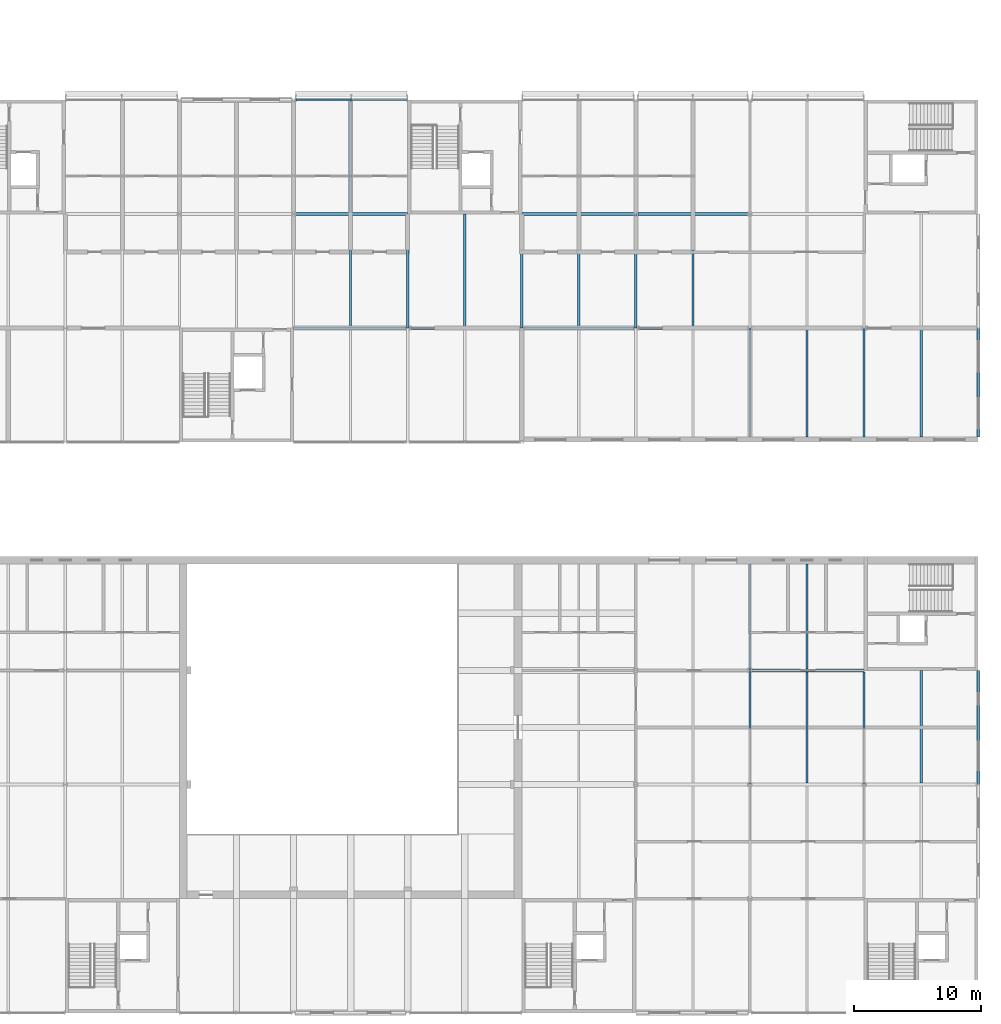
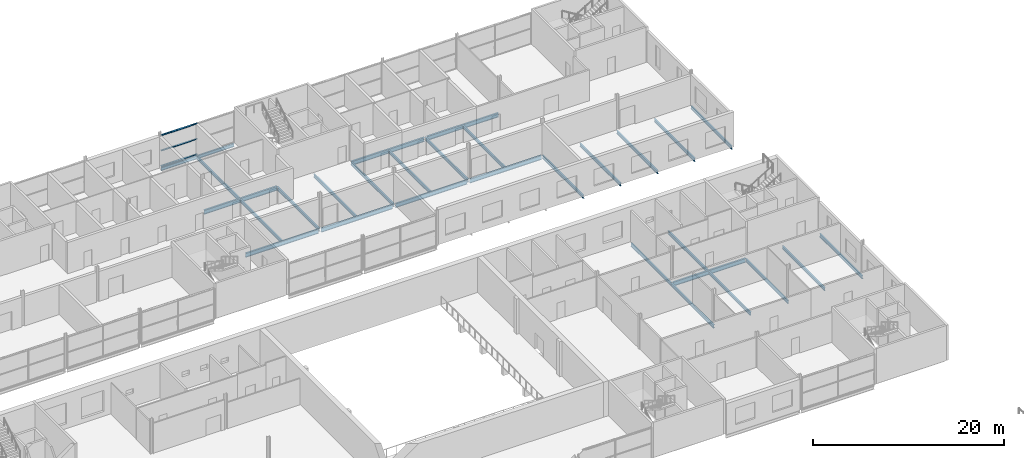
# One storey, part 57 of 97: 29 beams, 3 members, 1 element without a shape of its own.
"""IFC4 building model written with IfcOpenShell, lengths in metres."""

from ifc_helpers import new_model, si_unit, direction, frame, origin, origin_2d, place, context, subcontext, project, spatial, rectangle, i_section, extrude, material, layer, layer_set, material_profile, profile_set, type_object, element, aggregate, save


model = new_model("IFC4")

# Units and contexts
model_context = context("Model", 3, precision=1e-05, world=origin(), true_north=direction((0.0, 1.0)))
body_context = subcontext(model_context, "Body", "Model", "MODEL_VIEW")
ifc_project = project(units=[si_unit("LENGTHUNIT", "METRE"), si_unit("AREAUNIT", "SQUARE_METRE"), si_unit("VOLUMEUNIT", "CUBIC_METRE"), si_unit("PLANEANGLEUNIT", "RADIAN"), si_unit("MASSUNIT", "GRAM", prefix="KILO")], contexts=[model_context])

# Site, building, storey
site_placement = place(None, origin())
site = spatial("IfcSite", under=ifc_project, at=site_placement, CompositionType="ELEMENT")
building_placement = place(site_placement, origin())
building = spatial("IfcBuilding", under=site, at=building_placement, Name="Corbel Yard City Hall", CompositionType="ELEMENT")
storey_placement = place(building_placement, frame((0.0, 0.0, 6.0)))
storey = spatial("IfcBuildingStorey", under=building, at=storey_placement, Name="L01", CompositionType="ELEMENT", Elevation=6.0)

# Beams
ifc_material_1 = material(Name="Steel Grade 300 (300 MPa yield)", Category="steel")
ifc_material_profile_1 = material_profile(ifc_material_1, i_section(OverallWidth=0.177978515625, OverallDepth=0.403076171875, WebThickness=0.007568359375, FlangeThickness=0.010986328125, at=origin_2d()), Name="410UB53.7")
ifc_profile_set_1 = profile_set([ifc_material_profile_1], Name="Steel Grade 300 (300 MPa yield)")
beam_type_1 = type_object("IfcBeamType", Name="Beam 410UB53.7", PredefinedType="BEAM", material=ifc_profile_set_1)
for number, where, z_axis, x_axis, name in (
    (1, (135.0, 99.0078125, -0.3515625), (0.0, 1.0, 0.0), (-1.0, 0.0, 0.0), "Beam 410UB53.7 SB6 L01floor"),
    (2, (144.0, 99.0078125, -0.3515625), (0.0, 1.0, 0.0), (-1.0, 0.0, 0.0), "Beam 410UB53.7 SB6 L01floor"),
):
    element("IfcBeam", number, at=place(storey_placement, frame(where, z_axis=z_axis, x_axis=x_axis)), inside=storey, type_object=beam_type_1, Name=name, PredefinedType="BEAM", context=body_context, shape_type="SweptSolid", body=[
        extrude(i_section(OverallWidth=0.177978515625, OverallDepth=0.403076171875, WebThickness=0.007568359375, FlangeThickness=0.010986328125, at=origin_2d()), origin(), (0.0, 0.0, 1.0), 8.8876953125),
    ])
for number, where, z_axis, x_axis, name in (
    (3, (153.0, 99.0078125, -0.3515625), (0.0, 1.0, 0.0), (-1.0, 0.0, 0.0), "Beam 410UB53.7 SB6 L01floor"),
    (4, (162.0, 63.0078125, -0.3515625), (0.0, 1.0, 0.0), (-1.0, 0.0, 0.0), "Beam 410UB53.7 SB6 L01floor"),
):
    element("IfcBeam", number, at=place(storey_placement, frame(where, z_axis=z_axis, x_axis=x_axis)), inside=storey, type_object=beam_type_1, Name=name, PredefinedType="BEAM", context=body_context, shape_type="SweptSolid", body=[
        extrude(i_section(OverallWidth=0.177978515625, OverallDepth=0.403076171875, WebThickness=0.007568359375, FlangeThickness=0.010986328125, at=origin_2d()), origin(), (0.0, 0.0, 1.0), 8.984375),
    ])
beam_1_placement = place(storey_placement, frame((162.0, 72.0078125, -0.3515625), z_axis=(0.0, 1.0, 0.0), x_axis=(-1.0, 0.0, 0.0)))
element("IfcBeam", 5, at=beam_1_placement, inside=storey, type_object=beam_type_1, Name="Beam 410UB53.7 SB6 L01floor", PredefinedType="BEAM", context=body_context, shape_type="SweptSolid", body=[
    extrude(i_section(OverallWidth=0.177978515625, OverallDepth=0.403076171875, WebThickness=0.007568359375, FlangeThickness=0.010986328125, at=origin_2d()), origin(), (0.0, 0.0, 1.0), 8.39208984375),
])
beam_2_placement = place(storey_placement, frame((162.0, 90.39990234375, -0.3515625), z_axis=(0.0, 1.0, 0.0), x_axis=(-1.0, 0.0, 0.0)))
element("IfcBeam", 6, at=beam_2_placement, inside=storey, type_object=beam_type_1, Name="Beam 410UB53.7 SB6 L01floor", PredefinedType="BEAM", context=body_context, shape_type="SweptSolid", body=[
    extrude(i_section(OverallWidth=0.177978515625, OverallDepth=0.403076171875, WebThickness=0.007568359375, FlangeThickness=0.010986328125, at=origin_2d()), origin(), (0.0, 0.0, 1.0), 8.59228515625),
])
beam_3_placement = place(storey_placement, frame((171.0, 63.0078125, -0.3515625), z_axis=(0.0, 1.0, 0.0), x_axis=(-1.0, 0.0, 0.0)))
element("IfcBeam", 7, at=beam_3_placement, inside=storey, type_object=beam_type_1, Name="Beam 410UB53.7 SB6 L01floor", PredefinedType="BEAM", context=body_context, shape_type="SweptSolid", body=[
    extrude(i_section(OverallWidth=0.177978515625, OverallDepth=0.403076171875, WebThickness=0.007568359375, FlangeThickness=0.010986328125, at=origin_2d()), origin(), (0.0, 0.0, 1.0), 8.8876953125),
])
beam_4_placement = place(storey_placement, frame((171.0, 90.39990234375, -0.3515625), z_axis=(0.0, 1.0, 0.0), x_axis=(-1.0, 0.0, 0.0)))
element("IfcBeam", 8, at=beam_4_placement, inside=storey, type_object=beam_type_1, Name="Beam 410UB53.7 SB6 L01floor", PredefinedType="BEAM", context=body_context, shape_type="SweptSolid", body=[
    extrude(i_section(OverallWidth=0.177978515625, OverallDepth=0.403076171875, WebThickness=0.007568359375, FlangeThickness=0.010986328125, at=origin_2d()), origin(), (0.0, 0.0, 1.0), 8.59228515625),
])
ifc_material_profile_2 = material_profile(ifc_material_1, i_section(OverallWidth=0.177978515625, OverallDepth=0.406005859375, WebThickness=0.0078125, FlangeThickness=0.0126953125, at=origin_2d()), Name="410UB59.7")
ifc_profile_set_2 = profile_set([ifc_material_profile_2], Name="Steel Grade 300 (300 MPa yield)")
beam_type_2 = type_object("IfcBeamType", Name="Edge beam 410UB59.7", PredefinedType="BEAM", material=ifc_profile_set_2)
beam_5_placement = place(storey_placement, frame((126.157470703125, 117.0, -0.35302734375), z_axis=(1.0, 0.0, 0.0), x_axis=(0.0, 1.0, 0.0)))
element("IfcBeam", 9, at=beam_5_placement, inside=storey, type_object=beam_type_2, Name="Edge beam 410UB59.7 EB2 L01floor", PredefinedType="BEAM", context=body_context, shape_type="SweptSolid", body=[
    extrude(i_section(OverallWidth=0.177978515625, OverallDepth=0.406005859375, WebThickness=0.0078125, FlangeThickness=0.0126953125, at=origin_2d()), origin(), (0.0, 0.0, 1.0), 8.842529296875),
])
beam_6_placement = place(storey_placement, frame((180.0, 63.005859375, -0.35302734375), z_axis=(0.0, 1.0, 0.0), x_axis=(-1.0, 0.0, 0.0)))
element("IfcBeam", 10, at=beam_6_placement, inside=storey, type_object=beam_type_2, Name="Edge beam 410UB59.7 EB2 L01floor", PredefinedType="BEAM", context=body_context, shape_type="SweptSolid", body=[
    extrude(i_section(OverallWidth=0.177978515625, OverallDepth=0.406005859375, WebThickness=0.0078125, FlangeThickness=0.0126953125, at=origin_2d()), origin(), (0.0, 0.0, 1.0), 8.994140625),
])
beam_7_placement = place(storey_placement, frame((180.0, 90.39990234375, -0.35302734375), z_axis=(0.0, 1.0, 0.0), x_axis=(-1.0, 0.0, 0.0)))
element("IfcBeam", 11, at=beam_7_placement, inside=storey, type_object=beam_type_2, Name="Edge beam 410UB59.7 EB2 L01floor", PredefinedType="BEAM", context=body_context, shape_type="SweptSolid", body=[
    extrude(i_section(OverallWidth=0.177978515625, OverallDepth=0.406005859375, WebThickness=0.0078125, FlangeThickness=0.0126953125, at=origin_2d()), origin(), (0.0, 0.0, 1.0), 8.59423828125),
])
ifc_material_profile_3 = material_profile(ifc_material_1, i_section(OverallWidth=0.208984375, OverallDepth=0.528076171875, WebThickness=0.009521484375, FlangeThickness=0.01318359375, at=origin_2d()), Name="530UB82.0")
ifc_profile_set_3 = profile_set([ifc_material_profile_3], Name="Steel Grade 300 (300 MPa yield)")
beam_type_3 = type_object("IfcBeamType", Name="Girder 530UB82.0", PredefinedType="BEAM", material=ifc_profile_set_3)
for number, where, z_axis, x_axis, name in (
    (12, (162.16357421875, 72.0, -0.4140625), (1.0, 0.0, 0.0), (0.0, 1.0, 0.0), "Girder 530UB82.0 GB3 L01floor"),
    (13, (126.0, 99.0, -0.4140625), (1.0, 0.0, 0.0), (0.0, 1.0, 0.0), "Girder 530UB82.0 GB3 L01floor"),
):
    element("IfcBeam", number, at=place(storey_placement, frame(where, z_axis=z_axis, x_axis=x_axis)), inside=storey, type_object=beam_type_3, Name=name, PredefinedType="BEAM", context=body_context, shape_type="SweptSolid", body=[
        extrude(i_section(OverallWidth=0.208984375, OverallDepth=0.528076171875, WebThickness=0.009521484375, FlangeThickness=0.01318359375, at=origin_2d()), origin(), (0.0, 0.0, 1.0), 8.83642578125),
    ])
for number, where, z_axis, x_axis, name in (
    (14, (135.16357421875, 99.0, -0.4140625), (1.0, 0.0, 0.0), (0.0, 1.0, 0.0), "Girder 530UB82.0 GB3 L01floor"),
    (15, (144.16357421875, 99.0, -0.4140625), (1.0, 0.0, 0.0), (0.0, 1.0, 0.0), "Girder 530UB82.0 GB3 L01floor"),
    (16, (153.16357421875, 99.0, -0.4140625), (1.0, 0.0, 0.0), (0.0, 1.0, 0.0), "Girder 530UB82.0 GB3 L01floor"),
):
    element("IfcBeam", number, at=place(storey_placement, frame(where, z_axis=z_axis, x_axis=x_axis)), inside=storey, type_object=beam_type_3, Name=name, PredefinedType="BEAM", context=body_context, shape_type="SweptSolid", body=[
        extrude(i_section(OverallWidth=0.208984375, OverallDepth=0.528076171875, WebThickness=0.009521484375, FlangeThickness=0.01318359375, at=origin_2d()), origin(), (0.0, 0.0, 1.0), 8.6728515625),
    ])
for number, where, z_axis, x_axis, name in (
    (17, (126.16357421875, 108.0, -0.4140625), (1.0, 0.0, 0.0), (0.0, 1.0, 0.0), "Girder 530UB82.0 GB3 L01floor"),
    (18, (144.0, 108.0, -0.4140625), (1.0, 0.0, 0.0), (0.0, 1.0, 0.0), "Girder 530UB82.0 GB3 L01floor"),
):
    element("IfcBeam", number, at=place(storey_placement, frame(where, z_axis=z_axis, x_axis=x_axis)), inside=storey, type_object=beam_type_3, Name=name, PredefinedType="BEAM", context=body_context, shape_type="SweptSolid", body=[
        extrude(i_section(OverallWidth=0.208984375, OverallDepth=0.528076171875, WebThickness=0.009521484375, FlangeThickness=0.01318359375, at=origin_2d()), origin(), (0.0, 0.0, 1.0), 8.83642578125),
    ])
beam_8_placement = place(storey_placement, frame((153.16357421875, 108.0, -0.4140625), z_axis=(1.0, 0.0, 0.0), x_axis=(0.0, 1.0, 0.0)))
element("IfcBeam", 19, at=beam_8_placement, inside=storey, type_object=beam_type_3, Name="Girder 530UB82.0 GB3 L01floor", PredefinedType="BEAM", context=body_context, shape_type="SweptSolid", body=[
    extrude(i_section(OverallWidth=0.208984375, OverallDepth=0.528076171875, WebThickness=0.009521484375, FlangeThickness=0.01318359375, at=origin_2d()), origin(), (0.0, 0.0, 1.0), 8.6728515625),
])
ifc_material_profile_4 = material_profile(ifc_material_1, i_section(OverallWidth=0.177978515625, OverallDepth=0.403076171875, WebThickness=0.007568359375, FlangeThickness=0.010986328125, at=origin_2d()), Name="410UB53.7")
ifc_profile_set_4 = profile_set([ifc_material_profile_4], Name="Steel Grade 300 (300 MPa yield)")
beam_type_4 = type_object("IfcBeamType", Name="Secondary beam 410UB53.7", PredefinedType="JOIST", material=ifc_profile_set_4)
beam_9_placement = place(storey_placement, frame((130.5, 99.1044921875, -0.3515625), z_axis=(0.0, 1.0, 0.0), x_axis=(-1.0, 0.0, 0.0)))
element("IfcBeam", 20, at=beam_9_placement, inside=storey, type_object=beam_type_4, Name="Secondary beam 410UB53.7 SB5 L01floor", PredefinedType="JOIST", context=body_context, shape_type="SweptSolid", body=[
    extrude(i_section(OverallWidth=0.177978515625, OverallDepth=0.403076171875, WebThickness=0.007568359375, FlangeThickness=0.010986328125, at=origin_2d()), origin(), (0.0, 0.0, 1.0), 8.791015625),
])
beam_10_placement = place(storey_placement, frame((130.5, 108.1044921875, -0.3515625), z_axis=(0.0, 1.0, 0.0), x_axis=(-1.0, 0.0, 0.0)))
element("IfcBeam", 21, at=beam_10_placement, inside=storey, type_object=beam_type_4, Name="Secondary beam 410UB53.7 SB5 L01floor", PredefinedType="JOIST", context=body_context, shape_type="SweptSolid", body=[
    extrude(i_section(OverallWidth=0.177978515625, OverallDepth=0.403076171875, WebThickness=0.007568359375, FlangeThickness=0.010986328125, at=origin_2d()), origin(), (0.0, 0.0, 1.0), 8.806396484375),
])
beam_11_placement = place(storey_placement, frame((139.5, 99.1044921875, -0.3515625), z_axis=(0.0, 1.0, 0.0), x_axis=(-1.0, 0.0, 0.0)))
element("IfcBeam", 22, at=beam_11_placement, inside=storey, type_object=beam_type_4, Name="Secondary beam 410UB53.7 SB5 L01floor", PredefinedType="JOIST", context=body_context, shape_type="SweptSolid", body=[
    extrude(i_section(OverallWidth=0.177978515625, OverallDepth=0.403076171875, WebThickness=0.007568359375, FlangeThickness=0.010986328125, at=origin_2d()), origin(), (0.0, 0.0, 1.0), 8.8955078125),
])
for number, where, z_axis, x_axis, name in (
    (23, (148.5, 99.1044921875, -0.3515625), (0.0, 1.0, 0.0), (-1.0, 0.0, 0.0), "Secondary beam 410UB53.7 SB5 L01floor"),
    (24, (157.5, 99.1044921875, -0.3515625), (0.0, 1.0, 0.0), (-1.0, 0.0, 0.0), "Secondary beam 410UB53.7 SB5 L01floor"),
    (25, (166.5, 63.1044921875, -0.3515625), (0.0, 1.0, 0.0), (-1.0, 0.0, 0.0), "Secondary beam 410UB53.7 SB5 L01floor"),
):
    element("IfcBeam", number, at=place(storey_placement, frame(where, z_axis=z_axis, x_axis=x_axis)), inside=storey, type_object=beam_type_4, Name=name, PredefinedType="JOIST", context=body_context, shape_type="SweptSolid", body=[
        extrude(i_section(OverallWidth=0.177978515625, OverallDepth=0.403076171875, WebThickness=0.007568359375, FlangeThickness=0.010986328125, at=origin_2d()), origin(), (0.0, 0.0, 1.0), 8.791015625),
    ])
beam_12_placement = place(storey_placement, frame((166.5, 72.1044921875, -0.3515625), z_axis=(0.0, 1.0, 0.0), x_axis=(-1.0, 0.0, 0.0)))
element("IfcBeam", 26, at=beam_12_placement, inside=storey, type_object=beam_type_4, Name="Secondary beam 410UB53.7 SB5 L01floor", PredefinedType="JOIST", context=body_context, shape_type="SweptSolid", body=[
    extrude(i_section(OverallWidth=0.177978515625, OverallDepth=0.403076171875, WebThickness=0.007568359375, FlangeThickness=0.010986328125, at=origin_2d()), origin(), (0.0, 0.0, 1.0), 8.29541015625),
])
beam_13_placement = place(storey_placement, frame((166.5, 90.39990234375, -0.3515625), z_axis=(0.0, 1.0, 0.0), x_axis=(-1.0, 0.0, 0.0)))
element("IfcBeam", 27, at=beam_13_placement, inside=storey, type_object=beam_type_4, Name="Secondary beam 410UB53.7 SB5 L01floor", PredefinedType="JOIST", context=body_context, shape_type="SweptSolid", body=[
    extrude(i_section(OverallWidth=0.177978515625, OverallDepth=0.403076171875, WebThickness=0.007568359375, FlangeThickness=0.010986328125, at=origin_2d()), origin(), (0.0, 0.0, 1.0), 8.49560546875),
])
beam_14_placement = place(storey_placement, frame((175.5, 63.1044921875, -0.3515625), z_axis=(0.0, 1.0, 0.0), x_axis=(-1.0, 0.0, 0.0)))
element("IfcBeam", 28, at=beam_14_placement, inside=storey, type_object=beam_type_4, Name="Secondary beam 410UB53.7 SB5 L01floor", PredefinedType="JOIST", context=body_context, shape_type="SweptSolid", body=[
    extrude(i_section(OverallWidth=0.177978515625, OverallDepth=0.403076171875, WebThickness=0.007568359375, FlangeThickness=0.010986328125, at=origin_2d()), origin(), (0.0, 0.0, 1.0), 8.8955078125),
])
beam_15_placement = place(storey_placement, frame((175.5, 90.39990234375, -0.3515625), z_axis=(0.0, 1.0, 0.0), x_axis=(-1.0, 0.0, 0.0)))
element("IfcBeam", 29, at=beam_15_placement, inside=storey, type_object=beam_type_4, Name="Secondary beam 410UB53.7 SB5 L01floor", PredefinedType="JOIST", context=body_context, shape_type="SweptSolid", body=[
    extrude(i_section(OverallWidth=0.177978515625, OverallDepth=0.403076171875, WebThickness=0.007568359375, FlangeThickness=0.010986328125, at=origin_2d()), origin(), (0.0, 0.0, 1.0), 8.49560546875),
])

# Curtain wall, members
ifc_material_2 = material(Name="Aluminium extrusion", Category="aluminium")
ifc_layer = layer(ifc_material_2, 0.199951171875)
ifc_layer_set = layer_set([ifc_layer], Name="Aluminium extrusion")
curtain_wall_type = type_object("IfcCurtainWallType", Name="CW1", PredefinedType="USERDEFINED", material=ifc_layer_set)
curtain_wall_placement = place(storey_placement, origin())
curtain_wall = element("IfcCurtainWall", 30, at=curtain_wall_placement, inside=storey, type_object=curtain_wall_type, Name="Curtain wall CW1 L01", ObjectType="CURTAIN WALL", PredefinedType="USERDEFINED")
ifc_material_profile_5 = material_profile(ifc_material_2, rectangle(XDim=0.14990234375, YDim=0.06494140625, at=origin_2d()), Name="150x65")
ifc_profile_set_5 = profile_set([ifc_material_profile_5], Name="Aluminium extrusion")
member_type = type_object("IfcMemberType", Name="TR1", PredefinedType="USERDEFINED", material=ifc_profile_set_5)
member_1_placement = place(storey_placement, frame((126.195068359375, 117.0, 0.032470703125), z_axis=(1.0, 0.0, 0.0), x_axis=(0.0, 1.0, 0.0)))
member_1 = element("IfcMember", 31, at=member_1_placement, type_object=member_type, Name="CW1 transom 1.1", ObjectType="TRANSOM", PredefinedType="USERDEFINED", context=body_context, shape_type="SweptSolid", body=[
    extrude(rectangle(XDim=0.14990234375, YDim=0.06494140625, at=origin_2d()), origin(), (0.0, 0.0, 1.0), 4.33740234375),
])
member_2_placement = place(storey_placement, frame((126.195068359375, 117.0, 1.99560546875), z_axis=(1.0, 0.0, 0.0), x_axis=(0.0, 1.0, 0.0)))
member_2 = element("IfcMember", 32, at=member_2_placement, type_object=member_type, Name="CW1 transom 1.2", ObjectType="TRANSOM", PredefinedType="USERDEFINED", context=body_context, shape_type="SweptSolid", body=[
    extrude(rectangle(XDim=0.14990234375, YDim=0.06494140625, at=origin_2d()), origin(), (0.0, 0.0, 1.0), 4.33740234375),
])
member_3_placement = place(storey_placement, frame((126.195068359375, 117.0, 3.95849609375), z_axis=(1.0, 0.0, 0.0), x_axis=(0.0, 1.0, 0.0)))
member_3 = element("IfcMember", 33, at=member_3_placement, type_object=member_type, Name="CW1 transom 1.3", ObjectType="TRANSOM", PredefinedType="USERDEFINED", context=body_context, shape_type="SweptSolid", body=[
    extrude(rectangle(XDim=0.14990234375, YDim=0.06494140625, at=origin_2d()), origin(), (0.0, 0.0, 1.0), 4.33740234375),
])
aggregate(curtain_wall, [member_1, member_2, member_3])

save(model, "model.ifc")
